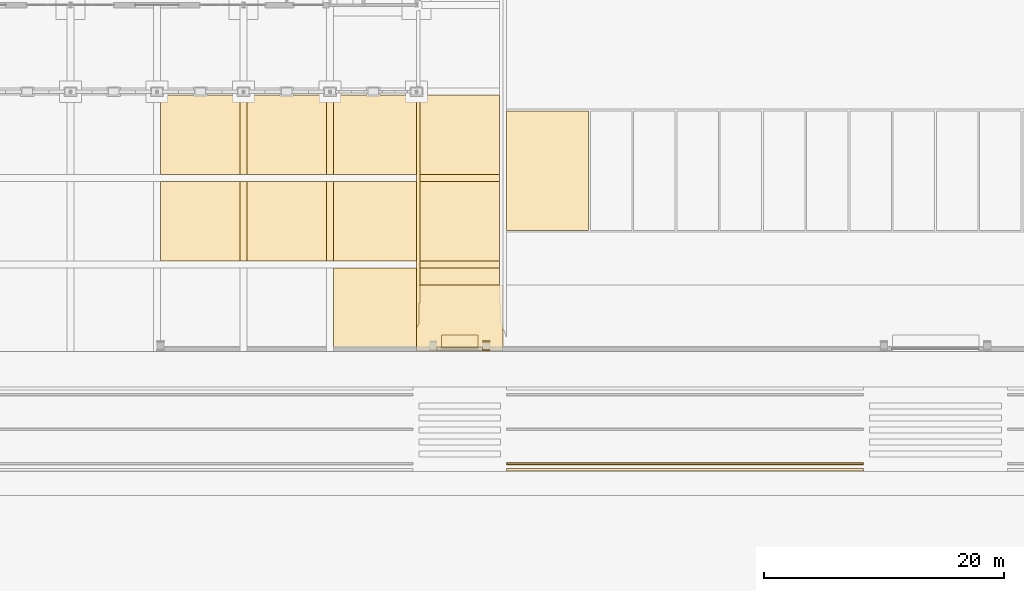
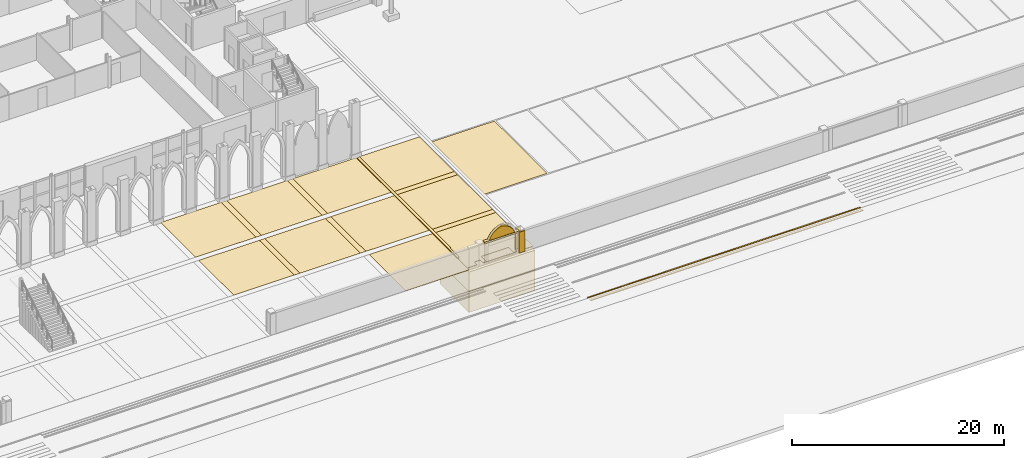
# One storey, part 120 of 148: 27 coverings.
"""IFC4 building model written with IfcOpenShell, lengths in metres."""

from ifc_helpers import new_model, si_unit, direction, frame, origin, origin_2d, place, context, subcontext, project, spatial, polyline, rectangle, outline, extrude, material, layer, layer_set, type_object, element, save


model = new_model("IFC4")

# Units and contexts
model_context = context("Model", 3, precision=1e-05, world=origin(), true_north=direction((0.0, 1.0)))
body_context = subcontext(model_context, "Body", "Model", "MODEL_VIEW")
ifc_project = project(units=[si_unit("LENGTHUNIT", "METRE"), si_unit("AREAUNIT", "SQUARE_METRE"), si_unit("VOLUMEUNIT", "CUBIC_METRE"), si_unit("PLANEANGLEUNIT", "RADIAN"), si_unit("MASSUNIT", "GRAM", prefix="KILO")], contexts=[model_context])

# Site, building, storey
site_placement = place(None, origin())
site = spatial("IfcSite", under=ifc_project, at=site_placement, CompositionType="ELEMENT")
building_placement = place(site_placement, origin())
building = spatial("IfcBuilding", under=site, at=building_placement, Name="Kupolbacken Congress Centre", CompositionType="ELEMENT")
storey_placement = place(building_placement, origin())
storey = spatial("IfcBuildingStorey", under=building, at=storey_placement, Name="L00", CompositionType="ELEMENT", Elevation=0.0)

# Coverings
ifc_material_1 = material(Name="Limestone cladding", Category="masonry")
ifc_layer_1 = layer(ifc_material_1, 0.1201171875)
ifc_layer_set_1 = layer_set([ifc_layer_1], Name="Limestone cladding")
covering_type_1 = type_object("IfcCoveringType", Name="CV1 limestone cladding band 120", PredefinedType="CLADDING", material=ifc_layer_set_1)
covering_1_placement = place(storey_placement, origin())
element("IfcCovering", 1, at=covering_1_placement, inside=storey, type_object=covering_type_1, Name="Gate pier limestone facing", PredefinedType="CLADDING", context=body_context, shape_type="SweptSolid", body=[
    extrude(outline(polyline([(84.699951171875, 0.02490234375), (84.699951171875, 0.14501953125), (85.300048828125, 0.14501953125), (85.300048828125, 0.02490234375), (84.699951171875, 0.02490234375)])), origin(), (0.0, 0.0, 1.0), 2.39990234375),
])
covering_2_placement = place(storey_placement, origin())
element("IfcCovering", 2, at=covering_2_placement, inside=storey, type_object=covering_type_1, Name="Gate pier limestone facing", PredefinedType="CLADDING", context=body_context, shape_type="SweptSolid", body=[
    extrude(outline(polyline([(84.699951171875, 0.7451171875), (84.699951171875, 0.864990234375), (85.300048828125, 0.864990234375), (85.300048828125, 0.7451171875), (84.699951171875, 0.7451171875)])), origin(), (0.0, 0.0, 1.0), 2.39990234375),
])
covering_3_placement = place(storey_placement, frame((82.800048828125, 0.175048828125, 2.39990234375), z_axis=(0.0, 0.0, 1.0), x_axis=(1.0, 0.0, 0.0)))
element("IfcCovering", 3, at=covering_3_placement, inside=storey, type_object=covering_type_1, Name="E/portal/PG1/cap", PredefinedType="CLADDING", context=body_context, shape_type="SweptSolid", body=[
    extrude(rectangle(XDim=3.800048828125, YDim=0.340087890625, at=origin_2d()), origin(), (0.0, 0.0, 1.0), 0.199951171875),
])
ifc_material_2 = material(Name="Brick cladding", Category="masonry")
ifc_layer_2 = layer(ifc_material_2, 0.10791015625)
ifc_layer_set_2 = layer_set([ifc_layer_2], Name="Brick cladding")
covering_type_2 = type_object("IfcCoveringType", Name="CV2 brick cladding band 108", PredefinedType="CLADDING", material=ifc_layer_set_2)
covering_4_placement = place(storey_placement, frame((81.300048828125, 0.324951171875, 0.0), z_axis=(0.0, -1.0, 0.0), x_axis=(1.0, 0.0, 0.0)))
element("IfcCovering", 4, at=covering_4_placement, inside=storey, type_object=covering_type_2, Name="E/portal/PG1/tympanum1", PredefinedType="CLADDING", context=body_context, shape_type="SweptSolid", body=[
    extrude(outline(polyline([(0.142333984375, 2.70849609375), (0.220703125, 2.872314453125), (0.314697265625, 3.02783203125), (0.424072265625, 3.173095703125), (0.547119140625, 3.306884765625), (0.6826171875, 3.427978515625), (0.82958984375, 3.534912109375), (0.986328125, 3.626953125), (1.1513671875, 3.702880859375), (1.3232421875, 3.76220703125), (1.5, 3.80419921875), (1.6767578125, 3.76220703125), (1.8486328125, 3.702880859375), (2.013671875, 3.626953125), (2.17041015625, 3.534912109375), (2.3173828125, 3.427978515625), (2.452880859375, 3.306884765625), (2.575927734375, 3.173095703125), (2.685302734375, 3.02783203125), (2.779296875, 2.872314453125), (2.857666015625, 2.70849609375), (2.89697265625, 2.60009765625), (0.10302734375, 2.60009765625), (0.142333984375, 2.70849609375)])), origin(), (0.0, 0.0, 1.0), 0.300048828125),
])
ifc_material_3 = material(Name="Limestone cladding", Category="masonry")
ifc_layer_3 = layer(ifc_material_3, 0.02001953125)
ifc_layer_set_3 = layer_set([ifc_layer_3], Name="Limestone cladding")
covering_type_3 = type_object("IfcCoveringType", Name="GF1 limestone paving 20", PredefinedType="FLOORING", material=ifc_layer_set_3)
covering_5_placement = place(storey_placement, origin())
element("IfcCovering", 5, at=covering_5_placement, inside=storey, type_object=covering_type_3, Name="Court paving band", PredefinedType="FLOORING", context=body_context, shape_type="SweptSolid", body=[
    extrude(outline(polyline([(64.5, 7.5), (64.5, 14.10009765625), (65.10009765625, 14.10009765625), (65.10009765625, 7.5), (64.5, 7.5)])), origin(), (0.0, 0.0, 1.0), 0.02001953125),
])
covering_6_placement = place(storey_placement, origin())
element("IfcCovering", 6, at=covering_6_placement, inside=storey, type_object=covering_type_3, Name="Court paving band", PredefinedType="FLOORING", context=body_context, shape_type="SweptSolid", body=[
    extrude(outline(polyline([(64.5, 14.699951171875), (64.5, 21.300048828125), (65.10009765625, 21.300048828125), (65.10009765625, 14.699951171875), (64.5, 14.699951171875)])), origin(), (0.0, 0.0, 1.0), 0.02001953125),
])
covering_7_placement = place(storey_placement, origin())
element("IfcCovering", 7, at=covering_7_placement, inside=storey, type_object=covering_type_3, Name="Court paving band", PredefinedType="FLOORING", context=body_context, shape_type="SweptSolid", body=[
    extrude(outline(polyline([(71.699951171875, 7.5), (71.699951171875, 14.10009765625), (72.300048828125, 14.10009765625), (72.300048828125, 7.5), (71.699951171875, 7.5)])), origin(), (0.0, 0.0, 1.0), 0.02001953125),
])
covering_8_placement = place(storey_placement, origin())
element("IfcCovering", 8, at=covering_8_placement, inside=storey, type_object=covering_type_3, Name="Court paving band", PredefinedType="FLOORING", context=body_context, shape_type="SweptSolid", body=[
    extrude(outline(polyline([(71.699951171875, 14.699951171875), (71.699951171875, 21.300048828125), (72.300048828125, 21.300048828125), (72.300048828125, 14.699951171875), (71.699951171875, 14.699951171875)])), origin(), (0.0, 0.0, 1.0), 0.02001953125),
])
covering_9_placement = place(storey_placement, origin())
element("IfcCovering", 9, at=covering_9_placement, inside=storey, type_object=covering_type_3, Name="Footpath limestone paving", PredefinedType="FLOORING", context=body_context, shape_type="SweptSolid", body=[
    extrude(outline(polyline([(79.539306640625, 21.260498046875), (79.571044921875, 21.29541015625), (79.59912109375, 21.333251953125), (79.574462890625, 21.300048828125), (86.099609375, 21.300048828125), (86.099609375, 14.699951171875), (79.50048828125, 14.699951171875), (79.50048828125, 21.225830078125), (79.50439453125, 21.22900390625), (79.539306640625, 21.260498046875)])), origin(), (0.0, 0.0, 1.0), 0.02001953125),
])
covering_10_placement = place(storey_placement, origin())
element("IfcCovering", 10, at=covering_10_placement, inside=storey, type_object=covering_type_3, Name="Footpath limestone paving", PredefinedType="FLOORING", context=body_context, shape_type="SweptSolid", body=[
    extrude(outline(polyline([(86.099609375, 7.5), (79.50048828125, 7.5), (79.50048828125, 14.10009765625), (86.099609375, 14.10009765625), (86.099609375, 7.5)])), origin(), (0.0, 0.0, 1.0), 0.02001953125),
])
covering_11_placement = place(storey_placement, origin())
element("IfcCovering", 11, at=covering_11_placement, inside=storey, type_object=covering_type_3, Name="Footpath limestone paving", PredefinedType="FLOORING", context=body_context, shape_type="SweptSolid", body=[
    extrude(outline(polyline([(86.099609375, 4.0), (86.199951171875, 4.0), (86.199951171875, 2.273681640625), (86.32763671875, 2.060546875), (86.3974609375, 1.9130859375), (86.3974609375, 0.35498046875), (85.330078125, 0.35498046875), (85.330078125, 0.77490234375), (85.302001953125, 0.77490234375), (85.302001953125, 0.866943359375), (84.697998046875, 0.866943359375), (84.697998046875, 0.77490234375), (84.669921875, 0.77490234375), (84.669921875, 0.35498046875), (80.929931640625, 0.35498046875), (80.929931640625, 0.77490234375), (80.902099609375, 0.77490234375), (80.902099609375, 0.866943359375), (80.298095703125, 0.866943359375), (80.298095703125, 0.77490234375), (80.27001953125, 0.77490234375), (80.27001953125, 0.35498046875), (79.202392578125, 0.35498046875), (79.202392578125, 1.9130859375), (79.272216796875, 2.060546875), (79.39990234375, 2.273681640625), (79.39990234375, 4.0), (79.50048828125, 4.0), (79.50048828125, 6.89990234375), (86.099609375, 6.89990234375), (86.099609375, 4.0)])), origin(), (0.0, 0.0, 1.0), 0.02001953125),
])
covering_12_placement = place(storey_placement, frame((0.0, 0.0, -0.14990234375)))
element("IfcCovering", 12, at=covering_12_placement, inside=storey, type_object=covering_type_3, Name="Street edge line", PredefinedType="FLOORING", context=body_context, shape_type="SweptSolid", body=[
    extrude(outline(polyline([(86.699951171875, -9.449951171875), (86.699951171875, -9.300048828125), (116.39990234375, -9.300048828125), (116.39990234375, -9.449951171875), (86.699951171875, -9.449951171875)])), origin(), (0.0, 0.0, 1.0), 0.02001953125),
])
covering_13_placement = place(storey_placement, frame((82.800048828125, 0.824951171875, 0.0), z_axis=(0.0, 0.0, 1.0), x_axis=(1.0, 0.0, 0.0)))
element("IfcCovering", 13, at=covering_13_placement, inside=storey, type_object=covering_type_3, Name="E/portal/PG1/threshold1", PredefinedType="FLOORING", context=body_context, shape_type="SweptSolid", body=[
    extrude(rectangle(XDim=3.0, YDim=1.0, at=origin_2d()), origin(), (0.0, 0.0, 1.0), 0.02001953125),
])
ifc_material_4 = material(Name="Brick", Category="masonry")
ifc_layer_4 = layer(ifc_material_4, 0.02001953125)
ifc_layer_set_4 = layer_set([ifc_layer_4], Name="Brick")
covering_type_4 = type_object("IfcCoveringType", Name="GF2 brick paving 20", PredefinedType="FLOORING", material=ifc_layer_set_4)
covering_14_placement = place(storey_placement, origin())
element("IfcCovering", 14, at=covering_14_placement, inside=storey, type_object=covering_type_4, Name="Court brick paving", PredefinedType="FLOORING", context=body_context, shape_type="SweptSolid", body=[
    extrude(outline(polyline([(79.197509765625, 14.699951171875), (72.300048828125, 14.699951171875), (72.300048828125, 21.300048828125), (79.197509765625, 21.300048828125), (79.197509765625, 14.699951171875)])), origin(), (0.0, 0.0, 1.0), 0.02001953125),
])
covering_15_placement = place(storey_placement, origin())
element("IfcCovering", 15, at=covering_15_placement, inside=storey, type_object=covering_type_4, Name="Court brick paving", PredefinedType="FLOORING", context=body_context, shape_type="SweptSolid", body=[
    extrude(outline(polyline([(79.197509765625, 7.5), (72.300048828125, 7.5), (72.300048828125, 14.10009765625), (79.197509765625, 14.10009765625), (79.197509765625, 7.5)])), origin(), (0.0, 0.0, 1.0), 0.02001953125),
])
covering_16_placement = place(storey_placement, origin())
element("IfcCovering", 16, at=covering_16_placement, inside=storey, type_object=covering_type_4, Name="Court brick paving", PredefinedType="FLOORING", context=body_context, shape_type="SweptSolid", body=[
    extrude(outline(polyline([(79.197509765625, 0.00341796875), (72.300048828125, 0.00341796875), (72.300048828125, 6.89990234375), (79.197509765625, 6.89990234375), (79.197509765625, 0.00341796875)])), origin(), (0.0, 0.0, 1.0), 0.02001953125),
])
covering_17_placement = place(storey_placement, origin())
element("IfcCovering", 17, at=covering_17_placement, inside=storey, type_object=covering_type_4, Name="Court brick paving", PredefinedType="FLOORING", context=body_context, shape_type="SweptSolid", body=[
    extrude(outline(polyline([(57.89990234375, 14.699951171875), (57.89990234375, 21.300048828125), (64.5, 21.300048828125), (64.5, 14.699951171875), (57.89990234375, 14.699951171875)])), origin(), (0.0, 0.0, 1.0), 0.02001953125),
])
covering_18_placement = place(storey_placement, origin())
element("IfcCovering", 18, at=covering_18_placement, inside=storey, type_object=covering_type_4, Name="Court brick paving", PredefinedType="FLOORING", context=body_context, shape_type="SweptSolid", body=[
    extrude(outline(polyline([(65.10009765625, 14.699951171875), (65.10009765625, 21.300048828125), (71.699951171875, 21.300048828125), (71.699951171875, 14.699951171875), (65.10009765625, 14.699951171875)])), origin(), (0.0, 0.0, 1.0), 0.02001953125),
])
covering_19_placement = place(storey_placement, origin())
element("IfcCovering", 19, at=covering_19_placement, inside=storey, type_object=covering_type_4, Name="Court brick paving", PredefinedType="FLOORING", context=body_context, shape_type="SweptSolid", body=[
    extrude(outline(polyline([(71.699951171875, 14.10009765625), (71.699951171875, 7.5), (65.10009765625, 7.5), (65.10009765625, 14.10009765625), (71.699951171875, 14.10009765625)])), origin(), (0.0, 0.0, 1.0), 0.02001953125),
])
covering_20_placement = place(storey_placement, origin())
element("IfcCovering", 20, at=covering_20_placement, inside=storey, type_object=covering_type_4, Name="Court brick paving", PredefinedType="FLOORING", context=body_context, shape_type="SweptSolid", body=[
    extrude(outline(polyline([(64.5, 14.10009765625), (64.5, 7.5), (57.89990234375, 7.5), (57.89990234375, 14.10009765625), (64.5, 14.10009765625)])), origin(), (0.0, 0.0, 1.0), 0.02001953125),
])
covering_21_placement = place(storey_placement, origin())
element("IfcCovering", 21, at=covering_21_placement, inside=storey, type_object=covering_type_4, Name="Footpath paving band", PredefinedType="FLOORING", context=body_context, shape_type="SweptSolid", body=[
    extrude(outline(polyline([(79.50048828125, 6.89990234375), (79.50048828125, 7.5), (86.099609375, 7.5), (86.099609375, 6.89990234375), (79.50048828125, 6.89990234375)])), origin(), (0.0, 0.0, 1.0), 0.02001953125),
])
covering_22_placement = place(storey_placement, origin())
element("IfcCovering", 22, at=covering_22_placement, inside=storey, type_object=covering_type_4, Name="Footpath paving band", PredefinedType="FLOORING", context=body_context, shape_type="SweptSolid", body=[
    extrude(outline(polyline([(79.50048828125, 14.10009765625), (79.50048828125, 14.699951171875), (86.099609375, 14.699951171875), (86.099609375, 14.10009765625), (79.50048828125, 14.10009765625)])), origin(), (0.0, 0.0, 1.0), 0.02001953125),
])
ifc_material_5 = material(Name="Asphalt", Category="masonry")
ifc_layer_5 = layer(ifc_material_5, 0.02001953125)
ifc_layer_set_5 = layer_set([ifc_layer_5], Name="Asphalt")
covering_type_5 = type_object("IfcCoveringType", Name="GF3 asphalt dock hardstanding 20", PredefinedType="FLOORING", material=ifc_layer_set_5)
covering_23_placement = place(storey_placement, origin())
element("IfcCovering", 23, at=covering_23_placement, inside=storey, type_object=covering_type_5, Name="Service yard asphalt hardstanding", PredefinedType="FLOORING", context=body_context, shape_type="SweptSolid", body=[
    extrude(outline(polyline([(86.700439453125, 20.0), (93.52490234375, 20.0), (93.52490234375, 10.050048828125), (86.700439453125, 10.050048828125), (86.700439453125, 20.0)])), origin(), (0.0, 0.0, 1.0), 0.02001953125),
])
ifc_material_6 = material(Name="Granite setts", Category="masonry")
ifc_layer_6 = layer(ifc_material_6, 0.10009765625)
ifc_layer_set_6 = layer_set([ifc_layer_6], Name="Granite setts")
covering_type_6 = type_object("IfcCoveringType", Name="GR3 granite sett paving 100", PredefinedType="FLOORING", material=ifc_layer_set_6)
covering_24_placement = place(storey_placement, origin())
element("IfcCovering", 24, at=covering_24_placement, inside=storey, type_object=covering_type_6, Name="Granite kerb edging", PredefinedType="FLOORING", context=body_context, shape_type="SweptSolid", body=[
    extrude(outline(polyline([(79.42626953125, 21.176513671875), (79.466796875, 21.200927734375), (79.50048828125, 21.225830078125), (79.50048828125, 4.0), (79.39990234375, 4.0), (79.39990234375, 2.273681640625), (79.272216796875, 2.060546875), (79.202392578125, 1.9130859375), (79.202392578125, 21.1201171875), (79.2470703125, 21.122314453125), (79.293701171875, 21.129150390625), (79.33935546875, 21.140625), (79.3837890625, 21.156494140625), (79.42626953125, 21.176513671875)])), origin(), (0.0, 0.0, 1.0), 0.10009765625),
])
covering_25_placement = place(storey_placement, frame((0.0, 0.0, -0.14990234375)))
element("IfcCovering", 25, at=covering_25_placement, inside=storey, type_object=covering_type_6, Name="Street granite kerb", PredefinedType="FLOORING", context=body_context, shape_type="SweptSolid", body=[
    extrude(outline(polyline([(86.699951171875, -9.998046875), (86.699951171875, -9.75), (116.39990234375, -9.75), (116.39990234375, -9.998046875), (86.699951171875, -9.998046875)])), origin(), (0.0, 0.0, 1.0), 0.099853515625),
])
ifc_material_7 = material(Name="Made ground", Category="soil")
ifc_layer_7 = layer(ifc_material_7, 2.39990234375)
ifc_layer_set_7 = layer_set([ifc_layer_7], Name="Made ground")
covering_type_7 = type_object("IfcCoveringType", Name="GR5 earthworks, made ground", PredefinedType="FLOORING", material=ifc_layer_set_7)
covering_26_placement = place(storey_placement, frame((0.0, 0.0, -2.5)))
element("IfcCovering", 26, at=covering_26_placement, inside=storey, type_object=covering_type_7, Name="Earth under footpath slab, made ground", PredefinedType="FLOORING", context=body_context, shape_type="SweptSolid", body=[
    extrude(outline(polyline([(79.200439453125, 5.5), (86.3994140625, 5.5), (86.3994140625, 0.00146484375), (79.200439453125, 0.00146484375), (79.200439453125, 5.5)])), origin(), (0.0, 0.0, 1.0), 2.26806640625),
])
ifc_material_8 = material(Name="Clay till", Category="soil")
ifc_layer_8 = layer(ifc_material_8, 2.39990234375)
ifc_layer_set_8 = layer_set([ifc_layer_8], Name="Clay till")
covering_type_8 = type_object("IfcCoveringType", Name="GR6 earthworks, clay till", PredefinedType="FLOORING", material=ifc_layer_set_8)
covering_27_placement = place(storey_placement, frame((0.0, 0.0, -4.89990234375)))
element("IfcCovering", 27, at=covering_27_placement, inside=storey, type_object=covering_type_8, Name="Earth under footpath slab, clay till", PredefinedType="FLOORING", context=body_context, shape_type="SweptSolid", body=[
    extrude(outline(polyline([(79.200439453125, 5.5), (86.3994140625, 5.5), (86.3994140625, 0.00146484375), (79.200439453125, 0.00146484375), (79.200439453125, 5.5)])), origin(), (0.0, 0.0, 1.0), 2.39990234375),
])

save(model, "model.ifc")
